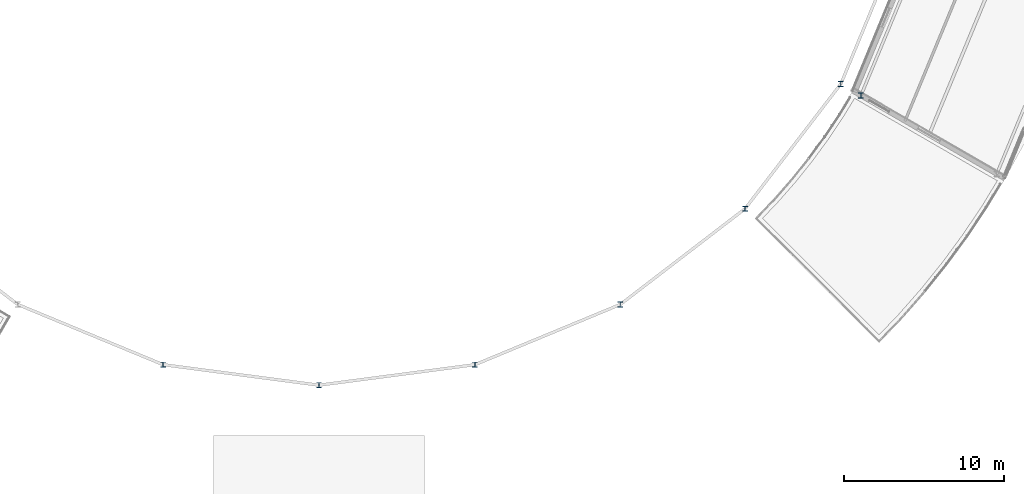
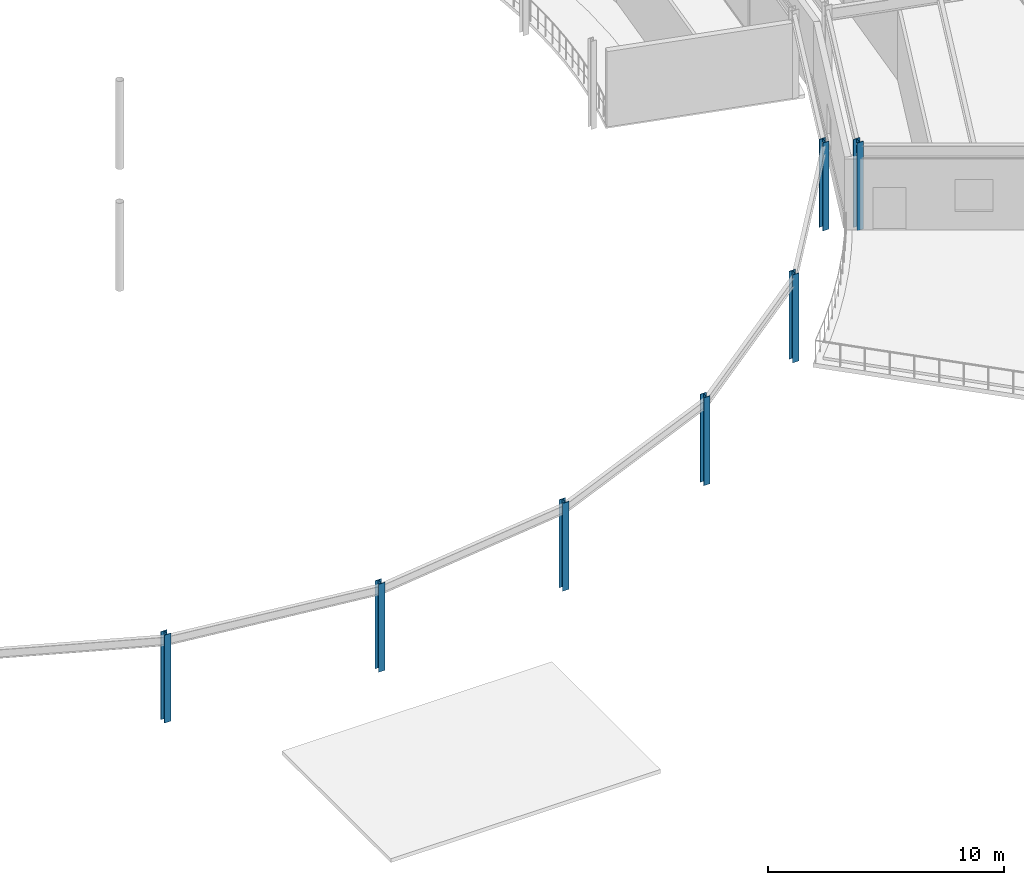
# One storey, part 5 of 133: 7 columns.
"""IFC4 building model written with IfcOpenShell, lengths in metres."""

import ifcopenshell
import ifcopenshell.guid

model = None  # the IFC model being written
_history = None  # IfcOwnerHistory: only IFC2X3 demands one
_inside = {}  # id of a spatial element -> (the spatial element, [elements in it])
_under = {}  # id of a project, library or spatial element -> (it, [spatial elements below it])
_declared = {}  # id of a project -> (the project, [libraries it declares])
_typed = {}  # id of a type object -> (the type object, [elements of that type])
_made_of = {}  # id of a material, layer set ... -> (it, [elements and type objects made of it])


def new_model(schema):
    """Start an empty IFC model of exactly this schema.

    Asked for "IFC4X3", IfcOpenShell would pick the latest addendum, in which some entities
    have other attributes; the version numbers below select the first issue.
    IFC2X3 requires an IfcOwnerHistory on every rooted entity: one is made here for all.
    """
    global model, _history
    if schema == "IFC4X3":
        model = ifcopenshell.file(schema_version=(4, 3, 0, 0))
    else:
        model = ifcopenshell.file(schema=schema)
    _inside.clear()
    _under.clear()
    _declared.clear()
    _typed.clear()
    _made_of.clear()
    _history = None
    if model.schema == "IFC2X3":
        org = make("IfcOrganization", Name="unknown")
        user = make(
            "IfcPersonAndOrganization",
            ThePerson=make("IfcPerson", FamilyName="unknown"),
            TheOrganization=org,
        )
        app = make(
            "IfcApplication",
            ApplicationDeveloper=org,
            Version="unknown",
            ApplicationFullName="unknown",
            ApplicationIdentifier="unknown",
        )
        _history = make(
            "IfcOwnerHistory",
            OwningUser=user,
            OwningApplication=app,
            ChangeAction="ADDED",
            CreationDate=0,
        )
    return model


def make(cls, **values):
    """One entity of the class cls with the attributes given. An attribute that is None is left unset."""
    return model.create_entity(
        cls, **{name: value for name, value in values.items() if value is not None}
    )


def rooted(cls, **values):
    """An entity with a GlobalId (a new one), such as an element, a storey or a relation."""
    return make(cls, GlobalId=ifcopenshell.guid.new(), OwnerHistory=_history, **values)


def si_unit(unit_type, name, prefix=None):
    """IfcSIUnit, for example si_unit("LENGTHUNIT", "METRE", prefix="MILLI")."""
    return make("IfcSIUnit", UnitType=unit_type, Prefix=prefix, Name=name)


def assignment(units):
    """IfcUnitAssignment: the units of a project."""
    return None if units is None else make("IfcUnitAssignment", Units=units)


def point(xyz):
    """IfcCartesianPoint."""
    return None if xyz is None else make("IfcCartesianPoint", Coordinates=xyz)


def direction(xyz):
    """IfcDirection."""
    return None if xyz is None else make("IfcDirection", DirectionRatios=xyz)


def frame(location, z_axis=None, x_axis=None):
    """IfcAxis2Placement3D, a coordinate frame: its origin and axes. An axis left out is left unset."""
    return make(
        "IfcAxis2Placement3D",
        Location=point(location),
        Axis=direction(z_axis),
        RefDirection=direction(x_axis),
    )


def frame_2d(location, x_axis=None):
    """IfcAxis2Placement2D, a coordinate frame in the plane: its origin and x axis."""
    return make(
        "IfcAxis2Placement2D", Location=point(location), RefDirection=direction(x_axis)
    )


def origin():
    """The frame at (0, 0, 0) with its axes left unset."""
    return frame((0.0, 0.0, 0.0))


def origin_2d():
    """The frame at (0, 0) in the plane with its x axis left unset."""
    return frame_2d((0.0, 0.0))


def place(relative_to, where):
    """IfcLocalPlacement: puts the frame where relative to a parent placement (None: the world)."""
    return make(
        "IfcLocalPlacement", PlacementRelTo=relative_to, RelativePlacement=where
    )


def context(
    kind, dimensions, precision=None, world=None, true_north=None, identifier=None
):
    """IfcGeometricRepresentationContext, for example the 3D "Model" context."""
    return make(
        "IfcGeometricRepresentationContext",
        ContextIdentifier=identifier,
        ContextType=kind,
        CoordinateSpaceDimension=dimensions,
        Precision=precision,
        WorldCoordinateSystem=world,
        TrueNorth=true_north,
    )


def subcontext(parent, identifier, kind, view, scale=None):
    """IfcGeometricRepresentationSubContext, for example "Body" below "Model"."""
    return make(
        "IfcGeometricRepresentationSubContext",
        ContextIdentifier=identifier,
        ContextType=kind,
        ParentContext=parent,
        TargetScale=scale,
        TargetView=view,
    )


def project(units=None, contexts=None):
    """IfcProject with its units and contexts."""
    return rooted(
        "IfcProject",
        Name="project",
        RepresentationContexts=contexts,
        UnitsInContext=assignment(units),
    )


def spatial(cls, under=None, at=None, **own):
    """A site, building, storey or space (cls), placed at a placement, below another one or the project."""
    s = rooted(cls, ObjectPlacement=at, **own)
    if under is not None:
        _under.setdefault(under.id(), (under, []))[1].append(s)
    return s


def profile(cls, at=None, kind="AREA", **sizes):
    """A parametric profile (cls). Its sizes go by their IFC names, for example OverallWidth=200.0."""
    return make(cls, ProfileType=kind, Position=at, **sizes)


def i_section(**sizes):
    """IfcIShapeProfileDef."""
    return profile("IfcIShapeProfileDef", **sizes)


def extrude(swept, where, along, depth):
    """IfcExtrudedAreaSolid: the profile swept, set in the frame where, extruded along a direction by depth."""
    return make(
        "IfcExtrudedAreaSolid",
        SweptArea=swept,
        Position=where,
        ExtrudedDirection=direction(along),
        Depth=depth,
    )


def shape(context_of_items, identifier, shape_type, items):
    """IfcShapeRepresentation: the items that make up one representation, for example the "Body"."""
    return make(
        "IfcShapeRepresentation",
        ContextOfItems=context_of_items,
        RepresentationIdentifier=identifier,
        RepresentationType=shape_type,
        Items=items,
    )


def material(Name=None, Category=None):
    """IfcMaterial."""
    return make("IfcMaterial", Name=Name, Category=Category)


def material_profile(
    of_material, cross_section, Name=None, Category=None, Priority=None
):
    """IfcMaterialProfile: a cross section and its material."""
    return make(
        "IfcMaterialProfile",
        Name=Name,
        Material=of_material,
        Profile=cross_section,
        Priority=Priority,
        Category=Category,
    )


def profile_set(profiles, Name=None, composite=None):
    """IfcMaterialProfileSet."""
    return make(
        "IfcMaterialProfileSet",
        Name=Name,
        MaterialProfiles=profiles,
        CompositeProfile=composite,
    )


def made_of(thing, what):
    """Note that an element or type object is made of a material, layer set ...; save() writes the relation."""
    if what is not None:
        _made_of.setdefault(what.id(), (what, []))[1].append(thing)
    return thing


def type_object(cls, material=None, **own):
    """A type object (cls), such as IfcWallType, which elements share."""
    return made_of(rooted(cls, **own), material)


def element(
    cls,
    number,
    at=None,
    inside=None,
    cuts=None,
    type_object=None,
    material=None,
    context=None,
    identifier="Body",
    shape_type=None,
    held_by="IfcProductDefinitionShape",
    body=None,
    shapes=None,
    **own,
):
    """One element of the class cls, such as IfcWall. Its Tag is "e" and its number.

    at: its placement. inside: the storey or other place that contains it. cuts: it is an
    opening in that element (IfcRelVoidsElement). A single representation is given by context,
    identifier, shape_type and body (its items); several are given by shapes. held_by: the class
    of the entity that holds the representations. save() writes the other relations.
    """
    e = rooted(cls, Tag="e%d" % number, ObjectPlacement=at, **own)
    if body is not None:
        shapes = [shape(context, identifier, shape_type, body)]
    if shapes is not None:
        e.Representation = make(held_by, Representations=shapes)
    if inside is not None:
        _inside.setdefault(inside.id(), (inside, []))[1].append(e)
    if cuts is not None:
        rooted(
            "IfcRelVoidsElement", RelatingBuildingElement=cuts, RelatedOpeningElement=e
        )
    if type_object is not None:
        _typed.setdefault(type_object.id(), (type_object, []))[1].append(e)
    return made_of(e, material)


def aggregate(whole, parts):
    """IfcRelAggregates: a whole, such as a stair, and the parts it consists of."""
    return rooted("IfcRelAggregates", RelatingObject=whole, RelatedObjects=parts)


def save(model, path):
    """Write the relations noted so far, then the file.

    IfcRelAggregates (storeys below a building ...), IfcRelContainedInSpatialStructure (elements
    in a storey), IfcRelDefinesByType, IfcRelAssociatesMaterial and IfcRelDeclares: one each for
    every whole, place, type object, material and project.
    """
    for whole, parts in _under.values():
        aggregate(whole, parts)
    for where, things in _inside.values():
        rooted(
            "IfcRelContainedInSpatialStructure",
            RelatedElements=things,
            RelatingStructure=where,
        )
    for kind, things in _typed.values():
        rooted("IfcRelDefinesByType", RelatedObjects=things, RelatingType=kind)
    for what, things in _made_of.values():
        rooted("IfcRelAssociatesMaterial", RelatedObjects=things, RelatingMaterial=what)
    for by, libraries in _declared.values():
        rooted("IfcRelDeclares", RelatingContext=by, RelatedDefinitions=libraries)
    model.write(path)


model = new_model("IFC4")

# Units and contexts
model_context = context("Model", 3, precision=1e-05, world=origin(), true_north=direction((0.0, 1.0)))
body_context = subcontext(model_context, "Body", "Model", "MODEL_VIEW")
ifc_project = project(units=[si_unit("LENGTHUNIT", "METRE"), si_unit("AREAUNIT", "SQUARE_METRE"), si_unit("VOLUMEUNIT", "CUBIC_METRE"), si_unit("PLANEANGLEUNIT", "RADIAN"), si_unit("MASSUNIT", "GRAM", prefix="KILO")], contexts=[model_context])

# Site, building, storey
site_placement = place(None, origin())
site = spatial("IfcSite", under=ifc_project, at=site_placement, CompositionType="ELEMENT")
building_placement = place(site_placement, origin())
building = spatial("IfcBuilding", under=site, at=building_placement, Name="Almandine Court Research Institute", CompositionType="ELEMENT")
storey_placement = place(building_placement, frame((0.0, 0.0, 9.800048828125)))
storey = spatial("IfcBuildingStorey", under=building, at=storey_placement, Name="L02", CompositionType="ELEMENT", Elevation=9.800048828125)

# Columns
ifc_material = material(Name="Steel ASTM A992 Grade 50", Category="steel")
ifc_material_profile_1 = material_profile(ifc_material, i_section(OverallWidth=0.31005859375, OverallDepth=0.326904296875, WebThickness=0.01611328125, FlangeThickness=0.02490234375, at=origin_2d()), Name="W310x158")
ifc_profile_set_1 = profile_set([ifc_material_profile_1], Name="Steel ASTM A992 Grade 50")
column_type_1 = type_object("IfcColumnType", Name="Col-C-W06", PredefinedType="COLUMN", material=ifc_profile_set_1)
for number, where, z_axis, x_axis, name in (
    (1, (77.2548828125, 19.633056640625, 0.0), (0.0, 0.0, 1.0), (1.0, 0.0, 0.0), "L02 V2 Column V2-OUT-S17"),
    (2, (87.0, 18.35009765625, 0.0), (0.0, 0.0, 1.0), (1.0, 0.0, 0.0), "L02 V2 Column V2-OUT-S18"),
    (3, (96.7451171875, 19.633056640625, 0.0), (0.0, 0.0, 1.0), (1.0, 0.0, 0.0), "L02 V2 Column V2-OUT-S19"),
    (4, (105.824951171875, 23.39404296875, 0.0), (0.0, 0.0, 1.0), (1.0, 0.0, 0.0), "L02 V2 Column V2-OUT-S20"),
    (5, (113.623046875, 29.376953125, 0.0), (0.0, 0.0, 1.0), (1.0, 0.0, 0.0), "L02 V2 Column V2-OUT-S21"),
    (6, (119.60595703125, 37.175048828125, 0.0), (0.0, 0.0, 1.0), (1.0, 0.0, 0.0), "L02 V2 Column V2-OUT-S22"),
):
    element("IfcColumn", number, at=place(storey_placement, frame(where, z_axis=z_axis, x_axis=x_axis)), inside=storey, type_object=column_type_1, Name=name, PredefinedType="COLUMN", context=body_context, shape_type="SweptSolid", body=[
        extrude(i_section(OverallWidth=0.31005859375, OverallDepth=0.326904296875, WebThickness=0.01611328125, FlangeThickness=0.02490234375, at=origin_2d()), origin(), (0.0, 0.0, 1.0), 4.550048828125),
    ])
ifc_material_profile_2 = material_profile(ifc_material, i_section(OverallWidth=0.31005859375, OverallDepth=0.326904296875, WebThickness=0.01611328125, FlangeThickness=0.02490234375, at=origin_2d()), Name="W310x158")
ifc_profile_set_2 = profile_set([ifc_material_profile_2], Name="Steel ASTM A992 Grade 50")
column_type_2 = type_object("IfcColumnType", Name="Col-C-W06-E", PredefinedType="COLUMN", material=ifc_profile_set_2)
column_placement = place(storey_placement, frame((120.862060546875, 36.449951171875, 0.0), z_axis=(0.0, 0.0, 1.0), x_axis=(1.0, 0.0, 0.0)))
element("IfcColumn", 7, at=column_placement, inside=storey, type_object=column_type_2, Name="L02 V5 Column V5-IN-S22", PredefinedType="COLUMN", context=body_context, shape_type="SweptSolid", body=[
    extrude(i_section(OverallWidth=0.31005859375, OverallDepth=0.326904296875, WebThickness=0.01611328125, FlangeThickness=0.02490234375, at=origin_2d()), origin(), (0.0, 0.0, 1.0), 4.550048828125),
])

save(model, "model.ifc")
